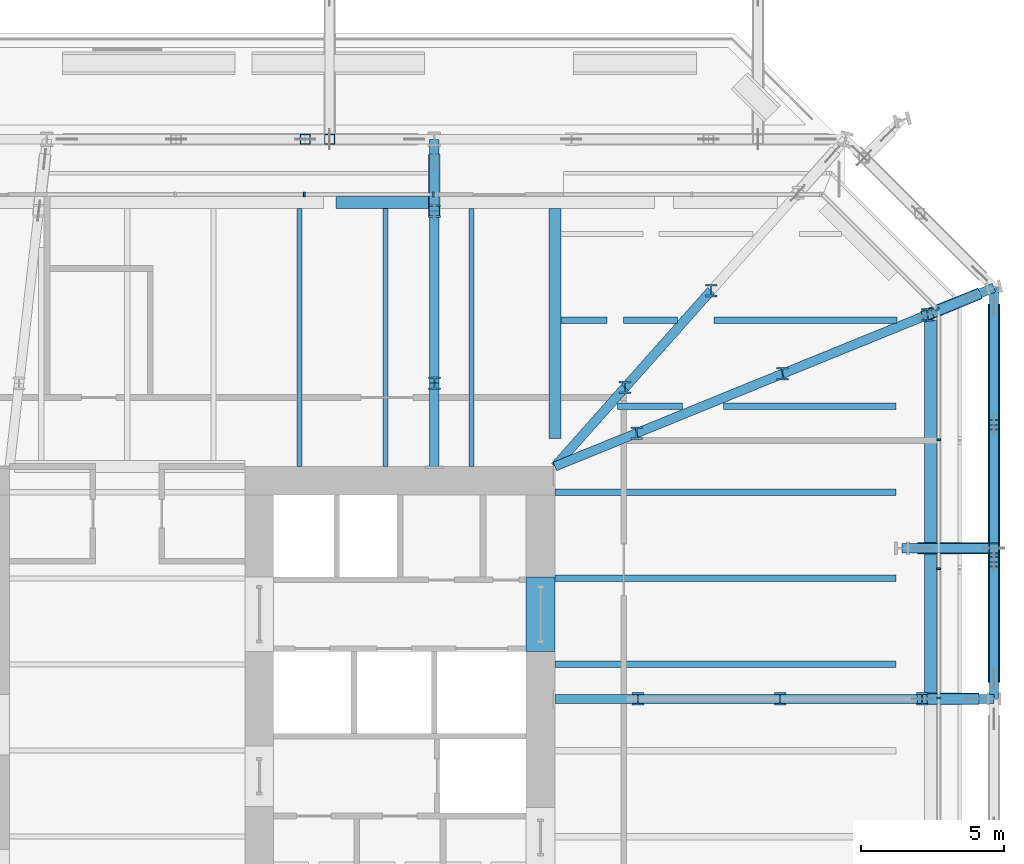
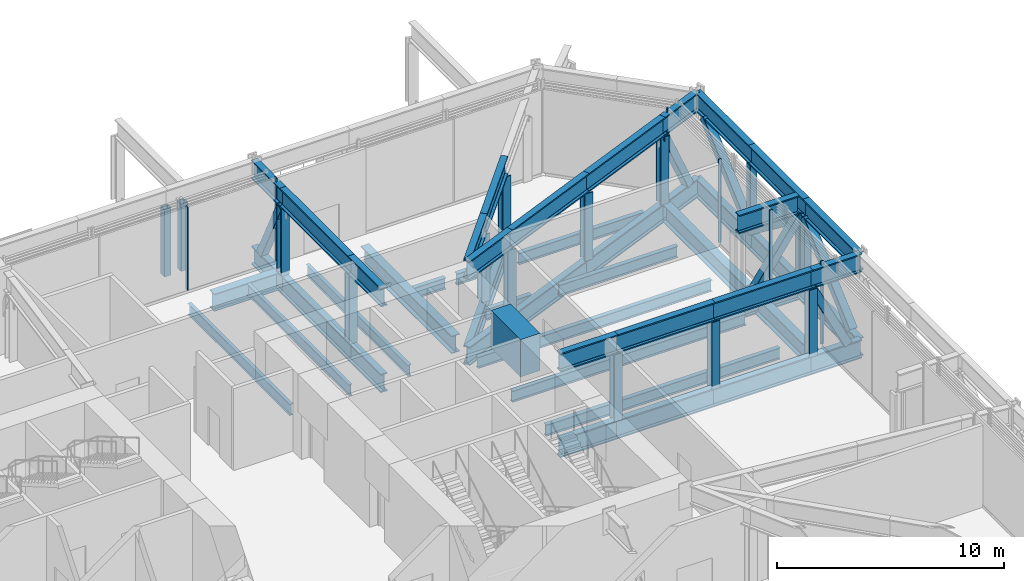
# One storey, part 14 of 29: 50 beams, 28 members, 3 elements without a shape of their own.
"""IFC4 building model written with IfcOpenShell, lengths in metres."""

from ifc_helpers import new_model, si_unit, direction, frame, origin, origin_2d, place, context, subcontext, project, spatial, rectangle, hollow_rectangle, i_section, extrude, material, layer, layer_set, material_profile, profile_set, type_object, element, aggregate, save


model = new_model("IFC4")

# Units and contexts
model_context = context("Model", 3, precision=1e-05, world=origin(), true_north=direction((0.0, 1.0)))
body_context = subcontext(model_context, "Body", "Model", "MODEL_VIEW")
ifc_project = project(units=[si_unit("LENGTHUNIT", "METRE"), si_unit("AREAUNIT", "SQUARE_METRE"), si_unit("VOLUMEUNIT", "CUBIC_METRE"), si_unit("PLANEANGLEUNIT", "RADIAN"), si_unit("MASSUNIT", "GRAM", prefix="KILO")], contexts=[model_context])

# Site, building, storey
site_placement = place(None, origin())
site = spatial("IfcSite", under=ifc_project, at=site_placement, CompositionType="ELEMENT")
building_placement = place(site_placement, origin())
building = spatial("IfcBuilding", under=site, at=building_placement, Name="Millrace Tower", CompositionType="ELEMENT")
storey_placement = place(building_placement, frame((0.0, 0.0, 68.60009765625)))
storey = spatial("IfcBuildingStorey", under=building, at=storey_placement, Name="L15", CompositionType="ELEMENT", Elevation=68.60009765625)

# Curtain wall, members
ifc_material_1 = material(Name="Aluminium and glass", Category="aluminium")
ifc_layer = layer(ifc_material_1, 0.14990234375)
ifc_layer_set = layer_set([ifc_layer], Name="Aluminium and glass")
curtain_wall_type = type_object("IfcCurtainWallType", Name="CW-5 truss and plant storey louvred infill", PredefinedType="NOTDEFINED", material=ifc_layer_set)
placement = place(storey_placement, origin())
curtain_wall_1 = element("IfcCurtainWall", 1, at=placement, inside=storey, type_object=curtain_wall_type, Name="Curtain wall B-F04 L15", PredefinedType="NOTDEFINED")
ifc_material_2 = material(Name="Aluminium", Category="aluminium")
ifc_material_profile_1 = material_profile(ifc_material_2, rectangle(XDim=0.06494140625, YDim=0.14990234375, at=origin_2d()))
ifc_profile_set_1 = profile_set([ifc_material_profile_1], Name="Aluminium")
member_type_1 = type_object("IfcMemberType", Name="CW-5 truss and plant storey louvred infill mullion", PredefinedType="MULLION", material=ifc_profile_set_1)
member_1_placement = place(storey_placement, frame((28.27490234375, 1.83251953125, 0.139892578125), z_axis=(0.0, 0.0, 1.0), x_axis=(0.0, 1.0, 0.0)))
member_1 = element("IfcMember", 2, at=member_1_placement, type_object=member_type_1, Name="CW5 mullion B-F04.7", PredefinedType="MULLION", context=body_context, shape_type="SweptSolid", body=[
    extrude(rectangle(XDim=0.06494140625, YDim=0.14990234375, at=origin_2d()), origin(), (0.0, 0.0, 1.0), 4.4599609375),
])
member_2_placement = place(storey_placement, frame((28.27490234375, 6.33251953125, 0.139892578125), z_axis=(0.0, 0.0, 1.0), x_axis=(0.0, 1.0, 0.0)))
member_2 = element("IfcMember", 3, at=member_2_placement, type_object=member_type_1, Name="CW5 mullion B-F04.8", PredefinedType="MULLION", context=body_context, shape_type="SweptSolid", body=[
    extrude(rectangle(XDim=0.06494140625, YDim=0.14990234375, at=origin_2d()), origin(), (0.0, 0.0, 1.0), 4.4599609375),
])
member_3_placement = place(storey_placement, frame((28.27490234375, 10.83251953125, 0.139892578125), z_axis=(0.0, 0.0, 1.0), x_axis=(0.0, 1.0, 0.0)))
member_3 = element("IfcMember", 4, at=member_3_placement, type_object=member_type_1, Name="CW5 mullion B-F04.9", PredefinedType="MULLION", context=body_context, shape_type="SweptSolid", body=[
    extrude(rectangle(XDim=0.06494140625, YDim=0.14990234375, at=origin_2d()), origin(), (0.0, 0.0, 1.0), 4.4599609375),
])
aggregate(curtain_wall_1, [member_1, member_2, member_3])

# Curtain wall, member
curtain_wall_2 = element("IfcCurtainWall", 5, at=placement, inside=storey, type_object=curtain_wall_type, Name="Curtain wall B-F05 L15", PredefinedType="NOTDEFINED")
member_4_placement = place(storey_placement, frame((28.22998046875, 15.3759765625, 0.139892578125), z_axis=(0.0, 0.0, 1.0), x_axis=(-0.707106781187, 0.707106781187, 0.0)))
member_4 = element("IfcMember", 6, at=member_4_placement, type_object=member_type_1, Name="CW5 mullion B-F05.1", PredefinedType="MULLION", context=body_context, shape_type="SweptSolid", body=[
    extrude(rectangle(XDim=0.06494140625, YDim=0.14990234375, at=origin_2d()), origin(), (0.0, 0.0, 1.0), 4.4599609375),
])
aggregate(curtain_wall_2, [member_4])

# Curtain wall, members
curtain_wall_3 = element("IfcCurtainWall", 7, at=placement, inside=storey, type_object=curtain_wall_type, Name="Curtain wall B-F06 L15", PredefinedType="NOTDEFINED")
member_5_placement = place(storey_placement, frame((10.66748046875, 19.375, 0.139892578125), z_axis=(0.0, 0.0, 1.0), x_axis=(-1.0, 0.0, 0.0)))
member_5 = element("IfcMember", 8, at=member_5_placement, type_object=member_type_1, Name="CW5 mullion B-F06.4", PredefinedType="MULLION", context=body_context, shape_type="SweptSolid", body=[
    extrude(rectangle(XDim=0.06494140625, YDim=0.14990234375, at=origin_2d()), origin(), (0.0, 0.0, 1.0), 4.4599609375),
])
member_6_placement = place(storey_placement, frame((6.16748046875, 19.375, 0.139892578125), z_axis=(0.0, 0.0, 1.0), x_axis=(-1.0, 0.0, 0.0)))
member_6 = element("IfcMember", 9, at=member_6_placement, type_object=member_type_1, Name="CW5 mullion B-F06.5", PredefinedType="MULLION", context=body_context, shape_type="SweptSolid", body=[
    extrude(rectangle(XDim=0.06494140625, YDim=0.14990234375, at=origin_2d()), origin(), (0.0, 0.0, 1.0), 4.4599609375),
])
aggregate(curtain_wall_3, [member_5, member_6])

# Beams
ifc_material_3 = material(Name="Concrete C80", Category="concrete")
ifc_material_profile_2 = material_profile(ifc_material_3, rectangle(XDim=1.0, YDim=2.0, at=origin_2d()))
ifc_profile_set_2 = profile_set([ifc_material_profile_2], Name="Concrete C80")
beam_type_1 = type_object("IfcBeamType", Name="Coupling beam 1000 x 2000 Concrete C80, 2000 opening", PredefinedType="BEAM", material=ifc_profile_set_2)
beam_1_placement = place(storey_placement, frame((14.39990234375, 6.050048828125, 3.39990234375), z_axis=(0.0, -1.0, 0.0), x_axis=(1.0, 0.0, 0.0)))
element("IfcBeam", 10, at=beam_1_placement, inside=storey, type_object=beam_type_1, Name="Coupling beam E L15", PredefinedType="BEAM", context=body_context, shape_type="SweptSolid", body=[
    extrude(rectangle(XDim=1.0, YDim=2.0, at=origin_2d()), origin(), (0.0, 0.0, 1.0), 2.60009765625),
])
ifc_material_4 = material(Name="Steel ASTM A992 Grade 50", Category="steel")
ifc_material_profile_3 = material_profile(ifc_material_4, i_section(OverallWidth=0.177978515625, OverallDepth=0.599365234375, WebThickness=0.010009765625, FlangeThickness=0.012939453125, FilletRadius=0.012939453125, at=origin_2d()))
ifc_profile_set_3 = profile_set([ifc_material_profile_3], Name="Steel ASTM A992 Grade 50")
beam_type_2 = type_object("IfcBeamType", Name="Floor beam W24x55", PredefinedType="JOIST", material=ifc_profile_set_3)
for number, where, z_axis, x_axis, name in (
    (11, (6.0, 9.89990234375, -0.499755859375), (0.0, 1.0, 0.0), (-1.0, 0.0, 0.0), "BM-B-L15-S1-S052"),
    (12, (9.0, 9.89990234375, -0.499755859375), (0.0, 1.0, 0.0), (-1.0, 0.0, 0.0), "BM-B-L15-S1-S054"),
    (13, (12.0, 9.89990234375, -0.499755859375), (0.0, 1.0, 0.0), (-1.0, 0.0, 0.0), "BM-B-L15-S1-S056"),
):
    element("IfcBeam", number, at=place(storey_placement, frame(where, z_axis=z_axis, x_axis=x_axis)), inside=storey, type_object=beam_type_2, Name=name, PredefinedType="JOIST", context=body_context, shape_type="SweptSolid", body=[
        extrude(i_section(OverallWidth=0.177978515625, OverallDepth=0.599365234375, WebThickness=0.010009765625, FlangeThickness=0.012939453125, FilletRadius=0.012939453125, at=origin_2d()), origin(), (0.0, 0.0, 1.0), 8.98095703125),
    ])
ifc_material_5 = material(Name="Steel ASTM A992 Grade 50", Category="steel")
ifc_material_profile_4 = material_profile(ifc_material_5, i_section(OverallWidth=0.228271484375, OverallDepth=0.607177734375, WebThickness=0.01123046875, FlangeThickness=0.017333984375, FilletRadius=0.0126953125, at=origin_2d()))
ifc_profile_set_4 = profile_set([ifc_material_profile_4], Name="Steel ASTM A992 Grade 50")
beam_type_3 = type_object("IfcBeamType", Name="Floor beam W24x76", PredefinedType="JOIST", material=ifc_profile_set_4)
for number, where, z_axis, x_axis, name in (
    (14, (14.89990234375, 3.0, -0.503662109375), (1.0, 0.0, 0.0), (0.0, 1.0, 0.0), "BM-B-L15-S1-S027"),
    (15, (14.89990234375, 6.0, -0.503662109375), (1.0, 0.0, 0.0), (0.0, 1.0, 0.0), "BM-B-L15-S1-S030"),
    (16, (14.89990234375, 9.0, -0.503662109375), (1.0, 0.0, 0.0), (0.0, 1.0, 0.0), "BM-B-L15-S1-S033"),
):
    element("IfcBeam", number, at=place(storey_placement, frame(where, z_axis=z_axis, x_axis=x_axis)), inside=storey, type_object=beam_type_3, Name=name, PredefinedType="JOIST", context=body_context, shape_type="SweptSolid", body=[
        extrude(i_section(OverallWidth=0.228271484375, OverallDepth=0.607177734375, WebThickness=0.01123046875, FlangeThickness=0.017333984375, FilletRadius=0.0126953125, at=origin_2d()), origin(), (0.0, 0.0, 1.0), 11.87939453125),
    ])
beam_2_placement = place(storey_placement, frame((15.11083984375, 15.0, -0.503662109375), z_axis=(1.0, 0.0, 0.0), x_axis=(0.0, 1.0, 0.0)))
element("IfcBeam", 17, at=beam_2_placement, inside=storey, type_object=beam_type_3, Name="BM-B-L15-S1-S037-a-a", PredefinedType="JOIST", context=body_context, shape_type="SweptSolid", body=[
    extrude(i_section(OverallWidth=0.228271484375, OverallDepth=0.607177734375, WebThickness=0.01123046875, FlangeThickness=0.017333984375, FilletRadius=0.0126953125, at=origin_2d()), origin(), (0.0, 0.0, 1.0), 1.6123046875),
])
beam_3_placement = place(storey_placement, frame((20.43603515625, 15.0, -0.503662109375), z_axis=(1.0, 0.0, 0.0), x_axis=(0.0, 1.0, 0.0)))
element("IfcBeam", 18, at=beam_3_placement, inside=storey, type_object=beam_type_3, Name="BM-B-L15-S1-S037-b", PredefinedType="JOIST", context=body_context, shape_type="SweptSolid", body=[
    extrude(i_section(OverallWidth=0.228271484375, OverallDepth=0.607177734375, WebThickness=0.01123046875, FlangeThickness=0.017333984375, FilletRadius=0.0126953125, at=origin_2d()), origin(), (0.0, 0.0, 1.0), 6.38427734375),
])
beam_4_placement = place(storey_placement, frame((17.086669921875, 12.0, -0.503662109375), z_axis=(1.0, 0.0, 0.0), x_axis=(0.0, 1.0, 0.0)))
element("IfcBeam", 19, at=beam_4_placement, inside=storey, type_object=beam_type_3, Name="BM-B-L15-S1-S035-b-a", PredefinedType="JOIST", context=body_context, shape_type="SweptSolid", body=[
    extrude(i_section(OverallWidth=0.228271484375, OverallDepth=0.607177734375, WebThickness=0.01123046875, FlangeThickness=0.017333984375, FilletRadius=0.0126953125, at=origin_2d()), origin(), (0.0, 0.0, 1.0), 2.25341796875),
])
beam_5_placement = place(storey_placement, frame((20.777099609375, 12.0, -0.503662109375), z_axis=(1.0, 0.0, 0.0), x_axis=(0.0, 1.0, 0.0)))
element("IfcBeam", 20, at=beam_5_placement, inside=storey, type_object=beam_type_3, Name="BM-B-L15-S1-S035-b-b", PredefinedType="JOIST", context=body_context, shape_type="SweptSolid", body=[
    extrude(i_section(OverallWidth=0.228271484375, OverallDepth=0.607177734375, WebThickness=0.01123046875, FlangeThickness=0.017333984375, FilletRadius=0.0126953125, at=origin_2d()), origin(), (0.0, 0.0, 1.0), 6.002197265625),
])
beam_6_placement = place(storey_placement, frame((17.299072265625, 15.0, -0.503662109375), z_axis=(1.0, 0.0, 0.0), x_axis=(0.0, 1.0, 0.0)))
element("IfcBeam", 21, at=beam_6_placement, inside=storey, type_object=beam_type_3, Name="BM-B-L15-S1-S037-a-b", PredefinedType="JOIST", context=body_context, shape_type="SweptSolid", body=[
    extrude(i_section(OverallWidth=0.228271484375, OverallDepth=0.607177734375, WebThickness=0.01123046875, FlangeThickness=0.017333984375, FilletRadius=0.0126953125, at=origin_2d()), origin(), (0.0, 0.0, 1.0), 1.876220703125),
])
ifc_material_6 = material(Name="Steel ASTM A992 Grade 50", Category="steel")
ifc_material_profile_5 = material_profile(ifc_material_6, i_section(OverallWidth=0.421630859375, OverallDepth=0.937255859375, WebThickness=0.021240234375, FlangeThickness=0.03662109375, FilletRadius=0.024169921875, at=origin_2d()))
ifc_profile_set_5 = profile_set([ifc_material_profile_5], Name="Steel ASTM A992 Grade 50")
beam_type_4 = type_object("IfcBeamType", Name="Girder short span W36x262", PredefinedType="BEAM", material=ifc_profile_set_5)
beam_7_placement = place(storey_placement, frame((14.89990234375, 10.879150390625, -0.668701171875), z_axis=(0.0, 1.0, 0.0), x_axis=(-1.0, 0.0, 0.0)))
element("IfcBeam", 22, at=beam_7_placement, inside=storey, type_object=beam_type_4, Name="BM-B-L15-S1-G060", PredefinedType="BEAM", context=body_context, shape_type="SweptSolid", body=[
    extrude(i_section(OverallWidth=0.421630859375, OverallDepth=0.937255859375, WebThickness=0.021240234375, FlangeThickness=0.03662109375, FilletRadius=0.024169921875, at=origin_2d()), origin(), (0.0, 0.0, 1.0), 8.001708984375),
])
ifc_material_7 = material(Name="Steel ASTM A992 Grade 50", Category="steel")
ifc_material_profile_6 = material_profile(ifc_material_7, i_section(OverallWidth=0.419189453125, OverallDepth=0.927001953125, WebThickness=0.019287109375, FlangeThickness=0.031982421875, FilletRadius=0.024169921875, at=origin_2d()))
ifc_profile_set_6 = profile_set([ifc_material_profile_6], Name="Steel ASTM A992 Grade 50")
beam_type_5 = type_object("IfcBeamType", Name="Ring beam short span W36x231", PredefinedType="SPANDREL", material=ifc_profile_set_6)
beam_8_placement = place(storey_placement, frame((7.27001953125, 19.09033203125, -0.66357421875), z_axis=(1.0, 0.0, 0.0), x_axis=(0.0, 1.0, 0.0)))
element("IfcBeam", 23, at=beam_8_placement, inside=storey, type_object=beam_type_5, Name="RNG-B-L15-S1-06-b", PredefinedType="SPANDREL", context=body_context, shape_type="SweptSolid", body=[
    extrude(i_section(OverallWidth=0.419189453125, OverallDepth=0.927001953125, WebThickness=0.019287109375, FlangeThickness=0.031982421875, FilletRadius=0.024169921875, at=origin_2d()), origin(), (0.0, 0.0, 1.0), 3.268798828125),
])
beam_9_placement = place(storey_placement, frame((27.990478515625, 6.88720703125, -0.66357421875), z_axis=(0.0, -1.0, 0.0), x_axis=(1.0, 0.0, 0.0)))
element("IfcBeam", 24, at=beam_9_placement, inside=storey, type_object=beam_type_5, Name="RNG-B-L15-S1-09-b", PredefinedType="SPANDREL", context=body_context, shape_type="SweptSolid", body=[
    extrude(i_section(OverallWidth=0.419189453125, OverallDepth=0.927001953125, WebThickness=0.019287109375, FlangeThickness=0.031982421875, FilletRadius=0.024169921875, at=origin_2d()), origin(), (0.0, 0.0, 1.0), 4.926025390625),
])
beam_10_placement = place(storey_placement, frame((27.990478515625, 15.0107421875, -0.66357421875), z_axis=(0.0, -1.0, 0.0), x_axis=(1.0, 0.0, 0.0)))
element("IfcBeam", 25, at=beam_10_placement, inside=storey, type_object=beam_type_5, Name="RNG-B-L15-S1-09-a", PredefinedType="SPANDREL", context=body_context, shape_type="SweptSolid", body=[
    extrude(i_section(OverallWidth=0.419189453125, OverallDepth=0.927001953125, WebThickness=0.019287109375, FlangeThickness=0.031982421875, FilletRadius=0.024169921875, at=origin_2d()), origin(), (0.0, 0.0, 1.0), 7.7978515625),
])

# Members
ifc_material_8 = material(Name="Steel ASTM A992 Grade 50", Category="steel")
ifc_material_profile_7 = material_profile(ifc_material_8, i_section(OverallWidth=0.411376953125, OverallDepth=0.434326171875, WebThickness=0.035888671875, FlangeThickness=0.057373046875, FilletRadius=0.01513671875, at=origin_2d()))
ifc_profile_set_7 = profile_set([ifc_material_profile_7], Name="Steel ASTM A992 Grade 50")
member_type_2 = type_object("IfcMemberType", Name="Transfer truss Vierendeel moment post W14x311", PredefinedType="POST", material=ifc_profile_set_7)
for number, where, z_axis, x_axis, name in (
    (26, (27.699951171875, 1.800048828125, -0.2001953125), (0.0, 0.0, 1.0), (1.0, 0.0, 0.0), "TRS-L15-C08-V01"),
    (27, (22.75, 1.800048828125, -0.2001953125), (0.0, 0.0, 1.0), (1.0, 0.0, 0.0), "TRS-L15-C08-V02"),
    (28, (17.800048828125, 1.800048828125, -0.2001953125), (0.0, 0.0, 1.0), (1.0, 0.0, 0.0), "TRS-L15-C08-V03"),
    (29, (27.884521484375, 15.185791015625, -0.2001953125), (0.0, 0.0, 1.0), (1.0, 0.0, 0.0), "TRS-L15-C09-V01"),
    (30, (22.836669921875, 13.130859375, -0.2001953125), (0.0, 0.0, 1.0), (1.0, 0.0, 0.0), "TRS-L15-C09-V02"),
    (31, (17.752685546875, 11.061279296875, -0.2001953125), (0.0, 0.0, 1.0), (1.0, 0.0, 0.0), "TRS-L15-C09-V03"),
    (32, (20.345947265625, 16.029541015625, -0.2001953125), (0.0, 0.0, 1.0), (1.0, 0.0, 0.0), "TRS-L15-C10-V02"),
    (33, (17.34423828125, 12.651123046875, -0.2001953125), (0.0, 0.0, 1.0), (1.0, 0.0, 0.0), "TRS-L15-C10-V03"),
    (34, (10.699951171875, 18.800048828125, -0.2001953125), (0.0, 0.0, 1.0), (1.0, 0.0, 0.0), "TRS-L15-C11-V01"),
    (35, (10.699951171875, 12.800048828125, -0.2001953125), (0.0, 0.0, 1.0), (1.0, 0.0, 0.0), "TRS-L15-C11-V02"),
):
    element("IfcMember", number, at=place(storey_placement, frame(where, z_axis=z_axis, x_axis=x_axis)), inside=storey, type_object=member_type_2, Name=name, PredefinedType="POST", context=body_context, shape_type="SweptSolid", body=[
        extrude(i_section(OverallWidth=0.411376953125, OverallDepth=0.434326171875, WebThickness=0.035888671875, FlangeThickness=0.057373046875, FilletRadius=0.01513671875, at=origin_2d()), origin(), (0.0, 0.0, 1.0), 3.60693359375),
    ])

# Beams
ifc_material_9 = material(Name="Steel ASTM A992 Grade 50", Category="steel")
ifc_material_profile_8 = material_profile(ifc_material_9, i_section(OverallWidth=0.322509765625, OverallDepth=0.9931640625, WebThickness=0.0361328125, FlangeThickness=0.06494140625, FilletRadius=0.01904296875, at=origin_2d()))
ifc_profile_set_8 = profile_set([ifc_material_profile_8], Name="Steel ASTM A992 Grade 50")
beam_type_6 = type_object("IfcBeamType", Name="Transfer truss chord W36x387", PredefinedType="BEAM", material=ifc_profile_set_8)
for number, where, z_axis, x_axis, name in (
    (36, (30.199951171875, 1.800048828125, -0.69677734375), (0.0, 1.0, 0.0), (-1.0, 0.0, 0.0), "TRS-L15-R08-B01"),
    (37, (30.199951171875, 1.800048828125, 3.9033203125), (0.0, 1.0, 0.0), (-1.0, 0.0, 0.0), "TRS-L15-R08-T01"),
    (38, (30.199951171875, 6.576171875, -0.69677734375), (0.0, 1.0, 0.0), (-1.0, 0.0, 0.0), "TRS-L15-R08-B02"),
    (39, (30.199951171875, 6.576171875, 3.9033203125), (0.0, 1.0, 0.0), (-1.0, 0.0, 0.0), "TRS-L15-R08-T02"),
    (40, (30.199951171875, 11.352294921875, -0.69677734375), (0.0, 1.0, 0.0), (-1.0, 0.0, 0.0), "TRS-L15-R08-B03"),
    (41, (30.199951171875, 11.352294921875, 3.9033203125), (0.0, 1.0, 0.0), (-1.0, 0.0, 0.0), "TRS-L15-R08-T03"),
):
    element("IfcBeam", number, at=place(storey_placement, frame(where, z_axis=z_axis, x_axis=x_axis)), inside=storey, type_object=beam_type_6, Name=name, PredefinedType="BEAM", context=body_context, shape_type="SweptSolid", body=[
        extrude(i_section(OverallWidth=0.322509765625, OverallDepth=0.9931640625, WebThickness=0.0361328125, FlangeThickness=0.06494140625, FilletRadius=0.01904296875, at=origin_2d()), origin(), (0.0, 0.0, 1.0), 4.776123046875),
    ])
for number, where, z_axis, x_axis, name in (
    (42, (30.199951171875, 1.800048828125, -0.69677734375), (-1.0, 0.0, 0.0), (0.0, -1.0, 0.0), "TRS-L15-C08-B01"),
    (43, (30.199951171875, 1.800048828125, 3.9033203125), (-1.0, 0.0, 0.0), (0.0, -1.0, 0.0), "TRS-L15-C08-T01"),
):
    element("IfcBeam", number, at=place(storey_placement, frame(where, z_axis=z_axis, x_axis=x_axis)), inside=storey, type_object=beam_type_6, Name=name, PredefinedType="BEAM", context=body_context, shape_type="SweptSolid", body=[
        extrude(i_section(OverallWidth=0.322509765625, OverallDepth=0.9931640625, WebThickness=0.0361328125, FlangeThickness=0.06494140625, FilletRadius=0.01904296875, at=origin_2d()), origin(), (0.0, 0.0, 1.0), 2.5),
    ])
for number, where, z_axis, x_axis, name in (
    (44, (27.699951171875, 1.800048828125, -0.69677734375), (-1.0, 0.0, 0.0), (0.0, -1.0, 0.0), "TRS-L15-C08-B02"),
    (45, (27.699951171875, 1.800048828125, 3.9033203125), (-1.0, 0.0, 0.0), (0.0, -1.0, 0.0), "TRS-L15-C08-T02"),
    (46, (22.75, 1.800048828125, -0.69677734375), (-1.0, 0.0, 0.0), (0.0, -1.0, 0.0), "TRS-L15-C08-B03"),
    (47, (22.75, 1.800048828125, 3.9033203125), (-1.0, 0.0, 0.0), (0.0, -1.0, 0.0), "TRS-L15-C08-T03"),
):
    element("IfcBeam", number, at=place(storey_placement, frame(where, z_axis=z_axis, x_axis=x_axis)), inside=storey, type_object=beam_type_6, Name=name, PredefinedType="BEAM", context=body_context, shape_type="SweptSolid", body=[
        extrude(i_section(OverallWidth=0.322509765625, OverallDepth=0.9931640625, WebThickness=0.0361328125, FlangeThickness=0.06494140625, FilletRadius=0.01904296875, at=origin_2d()), origin(), (0.0, 0.0, 1.0), 4.949951171875),
    ])
for number, where, z_axis, x_axis, name in (
    (48, (17.800048828125, 1.800048828125, -0.69677734375), (-1.0, 0.0, 0.0), (0.0, -1.0, 0.0), "TRS-L15-C08-B04"),
    (49, (17.800048828125, 1.800048828125, 3.9033203125), (-1.0, 0.0, 0.0), (0.0, -1.0, 0.0), "TRS-L15-C08-T04"),
):
    element("IfcBeam", number, at=place(storey_placement, frame(where, z_axis=z_axis, x_axis=x_axis)), inside=storey, type_object=beam_type_6, Name=name, PredefinedType="BEAM", context=body_context, shape_type="SweptSolid", body=[
        extrude(i_section(OverallWidth=0.322509765625, OverallDepth=0.9931640625, WebThickness=0.0361328125, FlangeThickness=0.06494140625, FilletRadius=0.01904296875, at=origin_2d()), origin(), (0.0, 0.0, 1.0), 2.900146484375),
    ])
for number, where, z_axis, x_axis, name in (
    (50, (30.199951171875, 16.12841796875, -0.69677734375), (-0.926189642413, -0.377058014483, 0.0), (0.377058014483, -0.926189642413, 0.0), "TRS-L15-C09-B01"),
    (51, (30.199951171875, 16.12841796875, 3.9033203125), (-0.926189642413, -0.377058014483, 0.0), (0.377058014483, -0.926189642413, 0.0), "TRS-L15-C09-T01"),
):
    element("IfcBeam", number, at=place(storey_placement, frame(where, z_axis=z_axis, x_axis=x_axis)), inside=storey, type_object=beam_type_6, Name=name, PredefinedType="BEAM", context=body_context, shape_type="SweptSolid", body=[
        extrude(i_section(OverallWidth=0.322509765625, OverallDepth=0.9931640625, WebThickness=0.0361328125, FlangeThickness=0.06494140625, FilletRadius=0.01904296875, at=origin_2d()), origin(), (0.0, 0.0, 1.0), 2.5),
    ])
for number, where, z_axis, x_axis, name in (
    (52, (27.884521484375, 15.185791015625, -0.69677734375), (-0.92619493392, -0.377045016386, 0.0), (0.377045016386, -0.92619493392, 0.0), "TRS-L15-C09-B02"),
    (53, (27.884521484375, 15.185791015625, 3.9033203125), (-0.92619493392, -0.377045016386, 0.0), (0.377045016386, -0.92619493392, 0.0), "TRS-L15-C09-T02"),
):
    element("IfcBeam", number, at=place(storey_placement, frame(where, z_axis=z_axis, x_axis=x_axis)), inside=storey, type_object=beam_type_6, Name=name, PredefinedType="BEAM", context=body_context, shape_type="SweptSolid", body=[
        extrude(i_section(OverallWidth=0.322509765625, OverallDepth=0.9931640625, WebThickness=0.0361328125, FlangeThickness=0.06494140625, FilletRadius=0.01904296875, at=origin_2d()), origin(), (0.0, 0.0, 1.0), 5.4501953125),
    ])
for number, where, z_axis, x_axis, name in (
    (54, (22.836669921875, 13.130859375, -0.69677734375), (-0.926198807179, -0.377035501751, 0.0), (0.377035501751, -0.926198807179, 0.0), "TRS-L15-C09-B03"),
    (55, (22.836669921875, 13.130859375, 3.9033203125), (-0.926198807179, -0.377035501751, 0.0), (0.377035501751, -0.926198807179, 0.0), "TRS-L15-C09-T03"),
):
    element("IfcBeam", number, at=place(storey_placement, frame(where, z_axis=z_axis, x_axis=x_axis)), inside=storey, type_object=beam_type_6, Name=name, PredefinedType="BEAM", context=body_context, shape_type="SweptSolid", body=[
        extrude(i_section(OverallWidth=0.322509765625, OverallDepth=0.9931640625, WebThickness=0.0361328125, FlangeThickness=0.06494140625, FilletRadius=0.01904296875, at=origin_2d()), origin(), (0.0, 0.0, 1.0), 5.489013671875),
    ])
for number, where, z_axis, x_axis, name in (
    (56, (17.752685546875, 11.061279296875, -0.69677734375), (-0.92619080113, -0.377055168248, 0.0), (0.377055168248, -0.92619080113, 0.0), "TRS-L15-C09-B04"),
    (57, (17.752685546875, 11.061279296875, 3.9033203125), (-0.92619080113, -0.377055168248, 0.0), (0.377055168248, -0.92619080113, 0.0), "TRS-L15-C09-T04"),
):
    element("IfcBeam", number, at=place(storey_placement, frame(where, z_axis=z_axis, x_axis=x_axis)), inside=storey, type_object=beam_type_6, Name=name, PredefinedType="BEAM", context=body_context, shape_type="SweptSolid", body=[
        extrude(i_section(OverallWidth=0.322509765625, OverallDepth=0.9931640625, WebThickness=0.0361328125, FlangeThickness=0.06494140625, FilletRadius=0.01904296875, at=origin_2d()), origin(), (0.0, 0.0, 1.0), 3.080078125),
    ])
for number, where, z_axis, x_axis, name in (
    (58, (20.345947265625, 16.029541015625, -0.69677734375), (-0.664199521624, -0.747555346095, 0.0), (0.747555346095, -0.664199521624, 0.0), "TRS-L15-C10-B03"),
    (59, (20.345947265625, 16.029541015625, 3.9033203125), (-0.664199521624, -0.747555346095, 0.0), (0.747555346095, -0.664199521624, 0.0), "TRS-L15-C10-T03"),
):
    element("IfcBeam", number, at=place(storey_placement, frame(where, z_axis=z_axis, x_axis=x_axis)), inside=storey, type_object=beam_type_6, Name=name, PredefinedType="BEAM", context=body_context, shape_type="SweptSolid", body=[
        extrude(i_section(OverallWidth=0.322509765625, OverallDepth=0.9931640625, WebThickness=0.0361328125, FlangeThickness=0.06494140625, FilletRadius=0.01904296875, at=origin_2d()), origin(), (0.0, 0.0, 1.0), 4.519287109375),
    ])
for number, where, z_axis, x_axis, name in (
    (60, (17.34423828125, 12.651123046875, -0.69677734375), (-0.664182646148, -0.747570339537, 0.0), (0.747570339537, -0.664182646148, 0.0), "TRS-L15-C10-B04"),
    (61, (17.34423828125, 12.651123046875, 3.9033203125), (-0.664182646148, -0.747570339537, 0.0), (0.747570339537, -0.664182646148, 0.0), "TRS-L15-C10-T04"),
):
    element("IfcBeam", number, at=place(storey_placement, frame(where, z_axis=z_axis, x_axis=x_axis)), inside=storey, type_object=beam_type_6, Name=name, PredefinedType="BEAM", context=body_context, shape_type="SweptSolid", body=[
        extrude(i_section(OverallWidth=0.322509765625, OverallDepth=0.9931640625, WebThickness=0.0361328125, FlangeThickness=0.06494140625, FilletRadius=0.01904296875, at=origin_2d()), origin(), (0.0, 0.0, 1.0), 3.68017578125),
    ])
for number, where, z_axis, x_axis, name in (
    (62, (10.699951171875, 21.300048828125, -0.69677734375), (0.0, -1.0, 0.0), (1.0, 0.0, 0.0), "TRS-L15-C11-B01"),
    (63, (10.699951171875, 21.300048828125, 3.9033203125), (0.0, -1.0, 0.0), (1.0, 0.0, 0.0), "TRS-L15-C11-T01"),
):
    element("IfcBeam", number, at=place(storey_placement, frame(where, z_axis=z_axis, x_axis=x_axis)), inside=storey, type_object=beam_type_6, Name=name, PredefinedType="BEAM", context=body_context, shape_type="SweptSolid", body=[
        extrude(i_section(OverallWidth=0.322509765625, OverallDepth=0.9931640625, WebThickness=0.0361328125, FlangeThickness=0.06494140625, FilletRadius=0.01904296875, at=origin_2d()), origin(), (0.0, 0.0, 1.0), 2.5),
    ])
for number, where, z_axis, x_axis, name in (
    (64, (10.699951171875, 18.800048828125, -0.69677734375), (0.0, -1.0, 0.0), (1.0, 0.0, 0.0), "TRS-L15-C11-B02"),
    (65, (10.699951171875, 18.800048828125, 3.9033203125), (0.0, -1.0, 0.0), (1.0, 0.0, 0.0), "TRS-L15-C11-T02"),
):
    element("IfcBeam", number, at=place(storey_placement, frame(where, z_axis=z_axis, x_axis=x_axis)), inside=storey, type_object=beam_type_6, Name=name, PredefinedType="BEAM", context=body_context, shape_type="SweptSolid", body=[
        extrude(i_section(OverallWidth=0.322509765625, OverallDepth=0.9931640625, WebThickness=0.0361328125, FlangeThickness=0.06494140625, FilletRadius=0.01904296875, at=origin_2d()), origin(), (0.0, 0.0, 1.0), 6.0),
    ])
for number, where, z_axis, x_axis, name in (
    (66, (10.699951171875, 12.800048828125, -0.69677734375), (0.0, -1.0, 0.0), (1.0, 0.0, 0.0), "TRS-L15-C11-B03"),
    (67, (10.699951171875, 12.800048828125, 3.9033203125), (0.0, -1.0, 0.0), (1.0, 0.0, 0.0), "TRS-L15-C11-T03"),
):
    element("IfcBeam", number, at=place(storey_placement, frame(where, z_axis=z_axis, x_axis=x_axis)), inside=storey, type_object=beam_type_6, Name=name, PredefinedType="BEAM", context=body_context, shape_type="SweptSolid", body=[
        extrude(i_section(OverallWidth=0.322509765625, OverallDepth=0.9931640625, WebThickness=0.0361328125, FlangeThickness=0.06494140625, FilletRadius=0.01904296875, at=origin_2d()), origin(), (0.0, 0.0, 1.0), 2.900146484375),
    ])
for number, where, z_axis, x_axis, name in (
    (68, (27.0, 7.050048828125, -0.69677734375), (1.0, 0.0, 0.0), (0.0, 1.0, 0.0), "TRS-L15-B-A-X08-B01"),
    (69, (27.0, 7.050048828125, 3.9033203125), (1.0, 0.0, 0.0), (0.0, 1.0, 0.0), "TRS-L15-B-A-X08-T01"),
):
    element("IfcBeam", number, at=place(storey_placement, frame(where, z_axis=z_axis, x_axis=x_axis)), inside=storey, type_object=beam_type_6, Name=name, PredefinedType="BEAM", context=body_context, shape_type="SweptSolid", body=[
        extrude(i_section(OverallWidth=0.322509765625, OverallDepth=0.9931640625, WebThickness=0.0361328125, FlangeThickness=0.06494140625, FilletRadius=0.01904296875, at=origin_2d()), origin(), (0.0, 0.0, 1.0), 3.038818359375),
    ])

# Members
ifc_material_10 = material(Name="Steel ASTM A500 Grade C", Category="steel")
ifc_material_profile_9 = material_profile(ifc_material_10, hollow_rectangle(XDim=0.406494140625, YDim=0.406494140625, WallThickness=0.015869140625, InnerFilletRadius=0.008056640625, OuterFilletRadius=0.02392578125, at=origin_2d()))
ifc_profile_set_9 = profile_set([ifc_material_profile_9], Name="Steel ASTM A500 Grade C")
member_type_3 = type_object("IfcMemberType", Name="Transfer truss diagonal HSS16x16x5/8", PredefinedType="BRACE", material=ifc_profile_set_9)
member_7_placement = place(storey_placement, frame((30.199951171875, 2.5, -0.2001953125), z_axis=(0.0, 0.748897240511, 0.662686142268), x_axis=(-1.0, 0.0, 0.0)))
element("IfcMember", 70, at=member_7_placement, inside=storey, type_object=member_type_3, Name="TRS-L15-R08-D01", PredefinedType="BRACE", context=body_context, shape_type="SweptSolid", body=[
    extrude(hollow_rectangle(XDim=0.406494140625, YDim=0.406494140625, WallThickness=0.015869140625, InnerFilletRadius=0.008056640625, OuterFilletRadius=0.02392578125, at=origin_2d()), origin(), (0.0, 0.0, 1.0), 5.44287109375),
])
member_8_placement = place(storey_placement, frame((30.199951171875, 11.352294921875, -0.2001953125), z_axis=(0.0, -0.798003334985, 0.60265303231), x_axis=(1.0, 0.0, 0.0)))
element("IfcMember", 71, at=member_8_placement, inside=storey, type_object=member_type_3, Name="TRS-L15-R08-D02", PredefinedType="BRACE", context=body_context, shape_type="SweptSolid", body=[
    extrude(hollow_rectangle(XDim=0.406494140625, YDim=0.406494140625, WallThickness=0.015869140625, InnerFilletRadius=0.008056640625, OuterFilletRadius=0.02392578125, at=origin_2d()), origin(), (0.0, 0.0, 1.0), 5.985107421875),
])
member_9_placement = place(storey_placement, frame((30.199951171875, 11.352294921875, -0.2001953125), z_axis=(0.0, 0.748897240511, 0.662686142268), x_axis=(-1.0, 0.0, 0.0)))
element("IfcMember", 72, at=member_9_placement, inside=storey, type_object=member_type_3, Name="TRS-L15-R08-D03", PredefinedType="BRACE", context=body_context, shape_type="SweptSolid", body=[
    extrude(hollow_rectangle(XDim=0.406494140625, YDim=0.406494140625, WallThickness=0.015869140625, InnerFilletRadius=0.008056640625, OuterFilletRadius=0.02392578125, at=origin_2d()), origin(), (0.0, 0.0, 1.0), 5.44287109375),
])
for number, where, z_axis, x_axis, name in (
    (73, (29.5, 1.800048828125, -0.2001953125), (-0.446535154983, 0.0, 0.894766089749), (0.0, -1.0, 0.0), "TRS-L15-C08-D01"),
    (74, (29.5517578125, 15.864501953125, -0.2001953125), (-0.413586670979, -0.168365931369, 0.894761967644), (0.377042692396, -0.92619587999, 0.0), "TRS-L15-C09-D01"),
    (75, (10.699951171875, 20.60009765625, -0.2001953125), (0.0, -0.446535154983, 0.894766089749), (1.0, 0.0, 0.0), "TRS-L15-C11-D01"),
):
    element("IfcMember", number, at=place(storey_placement, frame(where, z_axis=z_axis, x_axis=x_axis)), inside=storey, type_object=member_type_3, Name=name, PredefinedType="BRACE", context=body_context, shape_type="SweptSolid", body=[
        extrude(hollow_rectangle(XDim=0.406494140625, YDim=0.406494140625, WallThickness=0.015869140625, InnerFilletRadius=0.008056640625, OuterFilletRadius=0.02392578125, at=origin_2d()), origin(), (0.0, 0.0, 1.0), 4.03125),
    ])
member_10_placement = place(storey_placement, frame((27.699951171875, 7.050048828125, -0.2001953125), z_axis=(0.569655383588, 0.0, 0.821883655969), x_axis=(0.0, 1.0, 0.0)))
element("IfcMember", 76, at=member_10_placement, inside=storey, type_object=member_type_3, Name="TRS-L15-B-A-X08-D01", PredefinedType="BRACE", context=body_context, shape_type="SweptSolid", body=[
    extrude(hollow_rectangle(XDim=0.406494140625, YDim=0.406494140625, WallThickness=0.015869140625, InnerFilletRadius=0.008056640625, OuterFilletRadius=0.02392578125, at=origin_2d()), origin(), (0.0, 0.0, 1.0), 4.388671875),
])
ifc_material_11 = material(Name="Steel ASTM A500 Grade C", Category="steel")
ifc_material_profile_10 = material_profile(ifc_material_11, hollow_rectangle(XDim=0.355712890625, YDim=0.355712890625, WallThickness=0.015869140625, InnerFilletRadius=0.008056640625, OuterFilletRadius=0.02392578125, at=origin_2d()))
ifc_profile_set_10 = profile_set([ifc_material_profile_10], Name="Steel ASTM A500 Grade C")
member_type_4 = type_object("IfcMemberType", Name="Transfer truss post HSS14x14x5/8", PredefinedType="POST", material=ifc_profile_set_10)
for number, where, z_axis, x_axis, name in (
    (77, (30.199951171875, 6.576171875, -0.2001953125), (0.0, 0.0, 1.0), (1.0, 0.0, 0.0), "TRS-L15-R08-V01"),
    (78, (30.199951171875, 11.352294921875, -0.2001953125), (0.0, 0.0, 1.0), (1.0, 0.0, 0.0), "TRS-L15-R08-V02"),
    (79, (6.199951171875, 21.300048828125, -0.2001953125), (0.0, 0.0, 1.0), (1.0, 0.0, 0.0), "TRS-L15-R11-V01"),
    (80, (30.199951171875, 7.050048828125, -0.2001953125), (0.0, 0.0, 1.0), (1.0, 0.0, 0.0), "TRS-L15-B-A-X08-V01"),
    (81, (7.050048828125, 21.300048828125, -0.2001953125), (0.0, 0.0, 1.0), (1.0, 0.0, 0.0), "TRS-L15-B-A-X11-V01"),
):
    element("IfcMember", number, at=place(storey_placement, frame(where, z_axis=z_axis, x_axis=x_axis)), inside=storey, type_object=member_type_4, Name=name, PredefinedType="POST", context=body_context, shape_type="SweptSolid", body=[
        extrude(hollow_rectangle(XDim=0.355712890625, YDim=0.355712890625, WallThickness=0.015869140625, InnerFilletRadius=0.008056640625, OuterFilletRadius=0.02392578125, at=origin_2d()), origin(), (0.0, 0.0, 1.0), 3.60693359375),
    ])

save(model, "model.ifc")
